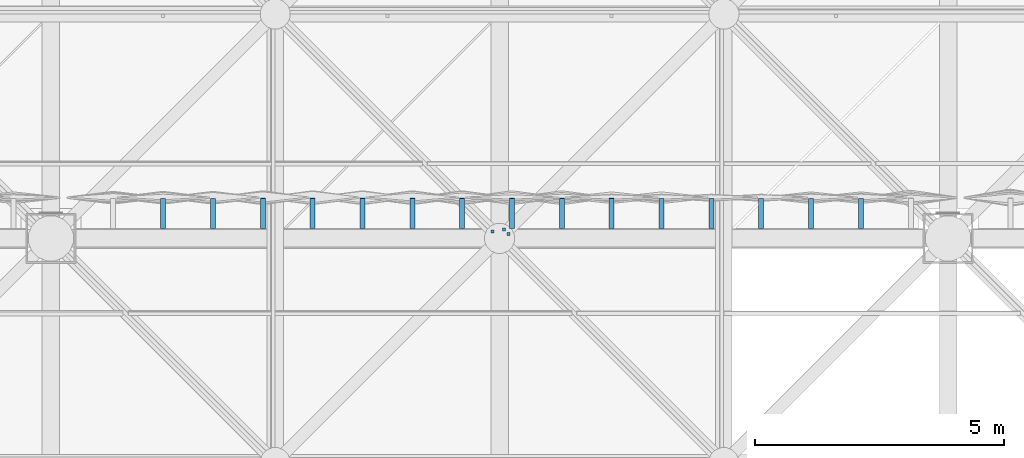
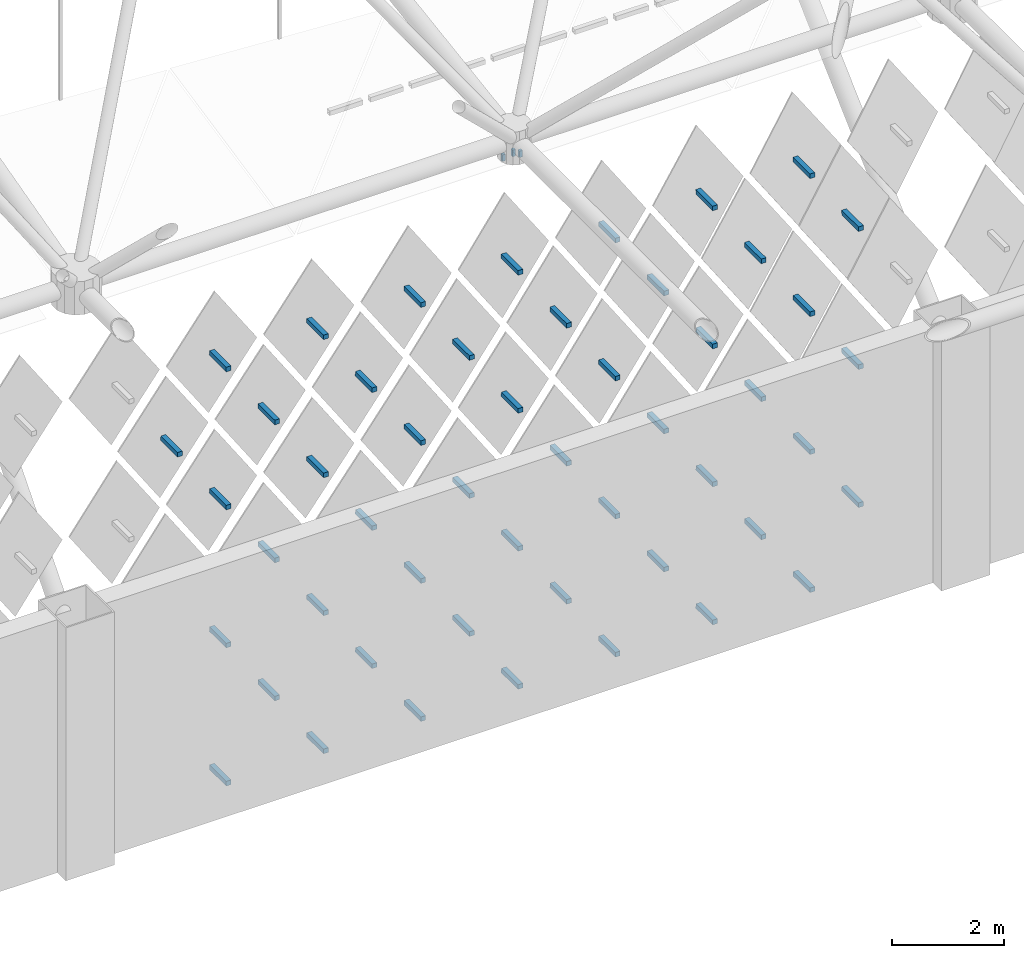
# One storey, part 384 of 437: 53 discrete accessories.
"""IFC4 building model written with IfcOpenShell, lengths in metres."""

from ifc_helpers import new_model, si_unit, direction, frame, origin, place, context, subcontext, project, spatial, polyline, outline, extrude, material, type_object, element, save


model = new_model("IFC4")

# Units and contexts
model_context = context("Model", 3, precision=1e-05, world=origin(), true_north=direction((0.0, 1.0)))
body_context = subcontext(model_context, "Body", "Model", "MODEL_VIEW")
ifc_project = project(units=[si_unit("LENGTHUNIT", "METRE"), si_unit("AREAUNIT", "SQUARE_METRE"), si_unit("VOLUMEUNIT", "CUBIC_METRE"), si_unit("PLANEANGLEUNIT", "RADIAN"), si_unit("MASSUNIT", "GRAM", prefix="KILO")], contexts=[model_context])

# Site, building, storey
site_placement = place(None, origin())
site = spatial("IfcSite", under=ifc_project, at=site_placement, CompositionType="ELEMENT")
building_placement = place(site_placement, origin())
building = spatial("IfcBuilding", under=site, at=building_placement, Name="Opaline Strait Convention Centre", CompositionType="ELEMENT")
storey_placement = place(building_placement, frame((0.0, 0.0, 11.5)))
storey = spatial("IfcBuildingStorey", under=building, at=storey_placement, Name="L02", CompositionType="ELEMENT", Elevation=11.5)

# Discrete accessories
ifc_material = material(Name="Steel Q355B", Category="steel")
discrete_accessory_type_1 = type_object("IfcDiscreteAccessoryType", Name="Soffit hanger 60x60 steel", PredefinedType="BRACKET", material=ifc_material)
discrete_accessory_1_placement = place(storey_placement, frame((0.0, 0.0, 11.9990234375)))
element("IfcDiscreteAccessory", 1, at=discrete_accessory_1_placement, inside=storey, type_object=discrete_accessory_type_1, Name="Soffit hanger", PredefinedType="BRACKET", context=body_context, shape_type="SweptSolid", body=[
    extrude(outline(polyline([(125.82861328125, 153.111328125), (125.888671875, 153.111328125), (125.888671875, 153.17138671875), (125.82861328125, 153.17138671875), (125.82861328125, 153.111328125)])), origin(), (0.0, 0.0, 1.0), 0.140869140625),
])
discrete_accessory_2_placement = place(storey_placement, frame((0.0, 0.0, 12.000732421875)))
element("IfcDiscreteAccessory", 2, at=discrete_accessory_2_placement, inside=storey, type_object=discrete_accessory_type_1, Name="Soffit hanger", PredefinedType="BRACKET", context=body_context, shape_type="SweptSolid", body=[
    extrude(outline(polyline([(126.14892578125, 153.059326171875), (126.208984375, 153.059326171875), (126.208984375, 153.119140625), (126.14892578125, 153.119140625), (126.14892578125, 153.059326171875)])), origin(), (0.0, 0.0, 1.0), 0.13916015625),
])
discrete_accessory_3_placement = place(storey_placement, frame((0.0, 0.0, 11.99951171875)))
element("IfcDiscreteAccessory", 3, at=discrete_accessory_3_placement, inside=storey, type_object=discrete_accessory_type_1, Name="Soffit hanger", PredefinedType="BRACKET", context=body_context, shape_type="SweptSolid", body=[
    extrude(outline(polyline([(126.059326171875, 153.14892578125), (126.119140625, 153.14892578125), (126.119140625, 153.208984375), (126.059326171875, 153.208984375), (126.059326171875, 153.14892578125)])), origin(), (0.0, 0.0, 1.0), 0.140380859375),
])
discrete_accessory_type_2 = type_object("IfcDiscreteAccessoryType", Name="Tile bracket 100x100 steel", PredefinedType="BRACKET", material=ifc_material)
discrete_accessory_4_placement = place(storey_placement, frame((132.300048828125, 153.199951171875, 0.39208984375), z_axis=(-1.0, 0.0, 0.0), x_axis=(0.0, -1.0, 0.0)))
element("IfcDiscreteAccessory", 4, at=discrete_accessory_4_placement, inside=storey, type_object=discrete_accessory_type_2, Name="Tile bracket XT06 N", PredefinedType="BRACKET", context=body_context, shape_type="SweptSolid", body=[
    extrude(outline(polyline([(0.0, -0.050048828125), (0.0, 0.050048828125), (-0.597412109375, 0.050048828125), (-0.6025390625, -0.050048828125), (0.0, -0.050048828125)])), origin(), (0.0, 0.0, 1.0), 0.10009765625),
])
discrete_accessory_5_placement = place(storey_placement, frame((130.300048828125, 153.199951171875, 0.39208984375), z_axis=(-1.0, 0.0, 0.0), x_axis=(0.0, -1.0, 0.0)))
element("IfcDiscreteAccessory", 5, at=discrete_accessory_5_placement, inside=storey, type_object=discrete_accessory_type_2, Name="Tile bracket XT09 N", PredefinedType="BRACKET", context=body_context, shape_type="SweptSolid", body=[
    extrude(outline(polyline([(0.0, -0.050048828125), (0.0, 0.050048828125), (-0.595947265625, 0.050048828125), (-0.60400390625, -0.050048828125), (0.0, -0.050048828125)])), origin(), (0.0, 0.0, 1.0), 0.10009765625),
])
discrete_accessory_6_placement = place(storey_placement, frame((128.300048828125, 153.199951171875, 0.39208984375), z_axis=(-1.0, 0.0, 0.0), x_axis=(0.0, -1.0, 0.0)))
element("IfcDiscreteAccessory", 6, at=discrete_accessory_6_placement, inside=storey, type_object=discrete_accessory_type_2, Name="Tile bracket XT11 N", PredefinedType="BRACKET", context=body_context, shape_type="SweptSolid", body=[
    extrude(outline(polyline([(0.0, -0.050048828125), (0.0, 0.050048828125), (-0.59521484375, 0.050048828125), (-0.604736328125, -0.050048828125), (0.0, -0.050048828125)])), origin(), (0.0, 0.0, 1.0), 0.10009765625),
])
discrete_accessory_7_placement = place(storey_placement, frame((126.300048828125, 153.199951171875, 0.39208984375), z_axis=(-1.0, 0.0, 0.0), x_axis=(0.0, -1.0, 0.0)))
element("IfcDiscreteAccessory", 7, at=discrete_accessory_7_placement, inside=storey, type_object=discrete_accessory_type_2, Name="Tile bracket XT12 N", PredefinedType="BRACKET", context=body_context, shape_type="SweptSolid", body=[
    extrude(outline(polyline([(0.0, -0.050048828125), (0.0, 0.050048828125), (-0.5947265625, 0.050048828125), (-0.605224609375, -0.050048828125), (0.0, -0.050048828125)])), origin(), (0.0, 0.0, 1.0), 0.10009765625),
])
discrete_accessory_8_placement = place(storey_placement, frame((124.300048828125, 153.199951171875, 0.39208984375), z_axis=(-1.0, 0.0, 0.0), x_axis=(0.0, -1.0, 0.0)))
element("IfcDiscreteAccessory", 8, at=discrete_accessory_8_placement, inside=storey, type_object=discrete_accessory_type_2, Name="Tile bracket XT10 N", PredefinedType="BRACKET", context=body_context, shape_type="SweptSolid", body=[
    extrude(outline(polyline([(0.0, -0.050048828125), (0.0, 0.050048828125), (-0.595703125, 0.050048828125), (-0.604248046875, -0.050048828125), (0.0, -0.050048828125)])), origin(), (0.0, 0.0, 1.0), 0.10009765625),
])
discrete_accessory_9_placement = place(storey_placement, frame((122.300048828125, 153.199951171875, 0.39208984375), z_axis=(-1.0, 0.0, 0.0), x_axis=(0.0, -1.0, 0.0)))
element("IfcDiscreteAccessory", 9, at=discrete_accessory_9_placement, inside=storey, type_object=discrete_accessory_type_2, Name="Tile bracket XT09 N", PredefinedType="BRACKET", context=body_context, shape_type="SweptSolid", body=[
    extrude(outline(polyline([(0.0, -0.050048828125), (0.0, 0.050048828125), (-0.595947265625, 0.050048828125), (-0.60400390625, -0.050048828125), (0.0, -0.050048828125)])), origin(), (0.0, 0.0, 1.0), 0.10009765625),
])
for number, where, z_axis, x_axis, name in (
    (10, (120.300048828125, 153.199951171875, 0.39208984375), (-1.0, 0.0, 0.0), (0.0, -1.0, 0.0), "Tile bracket XT05 N"),
    (11, (133.300048828125, 153.199951171875, 1.89208984375), (-1.0, 0.0, 0.0), (0.0, -1.0, 0.0), "Tile bracket XT05 N"),
    (12, (131.300048828125, 153.199951171875, 1.89208984375), (-1.0, 0.0, 0.0), (0.0, -1.0, 0.0), "Tile bracket XT05 N"),
):
    element("IfcDiscreteAccessory", number, at=place(storey_placement, frame(where, z_axis=z_axis, x_axis=x_axis)), inside=storey, type_object=discrete_accessory_type_2, Name=name, PredefinedType="BRACKET", context=body_context, shape_type="SweptSolid", body=[
        extrude(outline(polyline([(0.0, -0.050048828125), (0.0, 0.050048828125), (-0.597900390625, 0.050048828125), (-0.602294921875, -0.050048828125), (0.0, -0.050048828125)])), origin(), (0.0, 0.0, 1.0), 0.10009765625),
    ])
discrete_accessory_10_placement = place(storey_placement, frame((129.300048828125, 153.199951171875, 1.89208984375), z_axis=(-1.0, 0.0, 0.0), x_axis=(0.0, -1.0, 0.0)))
element("IfcDiscreteAccessory", 13, at=discrete_accessory_10_placement, inside=storey, type_object=discrete_accessory_type_2, Name="Tile bracket XT09 N", PredefinedType="BRACKET", context=body_context, shape_type="SweptSolid", body=[
    extrude(outline(polyline([(0.0, -0.050048828125), (0.0, 0.050048828125), (-0.595947265625, 0.050048828125), (-0.60400390625, -0.050048828125), (0.0, -0.050048828125)])), origin(), (0.0, 0.0, 1.0), 0.10009765625),
])
for number, where, z_axis, x_axis, name in (
    (14, (127.300048828125, 153.199951171875, 1.89208984375), (-1.0, 0.0, 0.0), (0.0, -1.0, 0.0), "Tile bracket XT11 N"),
    (15, (125.300048828125, 153.199951171875, 1.89208984375), (-1.0, 0.0, 0.0), (0.0, -1.0, 0.0), "Tile bracket XT11 N"),
    (16, (123.300048828125, 153.199951171875, 1.89208984375), (-1.0, 0.0, 0.0), (0.0, -1.0, 0.0), "Tile bracket XT11 N"),
):
    element("IfcDiscreteAccessory", number, at=place(storey_placement, frame(where, z_axis=z_axis, x_axis=x_axis)), inside=storey, type_object=discrete_accessory_type_2, Name=name, PredefinedType="BRACKET", context=body_context, shape_type="SweptSolid", body=[
        extrude(outline(polyline([(0.0, -0.050048828125), (0.0, 0.050048828125), (-0.59521484375, 0.050048828125), (-0.604736328125, -0.050048828125), (0.0, -0.050048828125)])), origin(), (0.0, 0.0, 1.0), 0.10009765625),
    ])
discrete_accessory_11_placement = place(storey_placement, frame((121.300048828125, 153.199951171875, 1.89208984375), z_axis=(-1.0, 0.0, 0.0), x_axis=(0.0, -1.0, 0.0)))
element("IfcDiscreteAccessory", 17, at=discrete_accessory_11_placement, inside=storey, type_object=discrete_accessory_type_2, Name="Tile bracket XT09 N", PredefinedType="BRACKET", context=body_context, shape_type="SweptSolid", body=[
    extrude(outline(polyline([(0.0, -0.050048828125), (0.0, 0.050048828125), (-0.595947265625, 0.050048828125), (-0.60400390625, -0.050048828125), (0.0, -0.050048828125)])), origin(), (0.0, 0.0, 1.0), 0.10009765625),
])
for number, where, z_axis, x_axis, name in (
    (18, (132.300048828125, 153.199951171875, 3.39208984375), (-1.0, 0.0, 0.0), (0.0, -1.0, 0.0), "Tile bracket XT05 N"),
    (19, (130.300048828125, 153.199951171875, 3.39208984375), (-1.0, 0.0, 0.0), (0.0, -1.0, 0.0), "Tile bracket XT05 N"),
):
    element("IfcDiscreteAccessory", number, at=place(storey_placement, frame(where, z_axis=z_axis, x_axis=x_axis)), inside=storey, type_object=discrete_accessory_type_2, Name=name, PredefinedType="BRACKET", context=body_context, shape_type="SweptSolid", body=[
        extrude(outline(polyline([(0.0, -0.050048828125), (0.0, 0.050048828125), (-0.597900390625, 0.050048828125), (-0.602294921875, -0.050048828125), (0.0, -0.050048828125)])), origin(), (0.0, 0.0, 1.0), 0.10009765625),
    ])
discrete_accessory_12_placement = place(storey_placement, frame((128.300048828125, 153.199951171875, 3.39208984375), z_axis=(-1.0, 0.0, 0.0), x_axis=(0.0, -1.0, 0.0)))
element("IfcDiscreteAccessory", 20, at=discrete_accessory_12_placement, inside=storey, type_object=discrete_accessory_type_2, Name="Tile bracket XT09 N", PredefinedType="BRACKET", context=body_context, shape_type="SweptSolid", body=[
    extrude(outline(polyline([(0.0, -0.050048828125), (0.0, 0.050048828125), (-0.595947265625, 0.050048828125), (-0.60400390625, -0.050048828125), (0.0, -0.050048828125)])), origin(), (0.0, 0.0, 1.0), 0.10009765625),
])
for number, where, z_axis, x_axis, name in (
    (21, (126.300048828125, 153.199951171875, 3.39208984375), (-1.0, 0.0, 0.0), (0.0, -1.0, 0.0), "Tile bracket XT11 N"),
    (22, (124.300048828125, 153.199951171875, 3.39208984375), (-1.0, 0.0, 0.0), (0.0, -1.0, 0.0), "Tile bracket XT11 N"),
    (23, (122.300048828125, 153.199951171875, 3.39208984375), (-1.0, 0.0, 0.0), (0.0, -1.0, 0.0), "Tile bracket XT11 N"),
):
    element("IfcDiscreteAccessory", number, at=place(storey_placement, frame(where, z_axis=z_axis, x_axis=x_axis)), inside=storey, type_object=discrete_accessory_type_2, Name=name, PredefinedType="BRACKET", context=body_context, shape_type="SweptSolid", body=[
        extrude(outline(polyline([(0.0, -0.050048828125), (0.0, 0.050048828125), (-0.59521484375, 0.050048828125), (-0.604736328125, -0.050048828125), (0.0, -0.050048828125)])), origin(), (0.0, 0.0, 1.0), 0.10009765625),
    ])
discrete_accessory_13_placement = place(storey_placement, frame((120.300048828125, 153.199951171875, 3.39208984375), z_axis=(-1.0, 0.0, 0.0), x_axis=(0.0, -1.0, 0.0)))
element("IfcDiscreteAccessory", 24, at=discrete_accessory_13_placement, inside=storey, type_object=discrete_accessory_type_2, Name="Tile bracket XT08 N", PredefinedType="BRACKET", context=body_context, shape_type="SweptSolid", body=[
    extrude(outline(polyline([(0.0, -0.050048828125), (0.0, 0.050048828125), (-0.596435546875, 0.050048828125), (-0.603515625, -0.050048828125), (0.0, -0.050048828125)])), origin(), (0.0, 0.0, 1.0), 0.10009765625),
])
discrete_accessory_14_placement = place(storey_placement, frame((133.300048828125, 153.199951171875, 4.89208984375), z_axis=(-1.0, 0.0, 0.0), x_axis=(0.0, -1.0, 0.0)))
element("IfcDiscreteAccessory", 25, at=discrete_accessory_14_placement, inside=storey, type_object=discrete_accessory_type_2, Name="Tile bracket XT05 N", PredefinedType="BRACKET", context=body_context, shape_type="SweptSolid", body=[
    extrude(outline(polyline([(0.0, -0.050048828125), (0.0, 0.050048828125), (-0.602294921875, 0.050048828125), (-0.597900390625, -0.050048828125), (0.0, -0.050048828125)])), origin(), (0.0, 0.0, 1.0), 0.10009765625),
])
discrete_accessory_15_placement = place(storey_placement, frame((131.300048828125, 153.199951171875, 4.89208984375), z_axis=(-1.0, 0.0, 0.0), x_axis=(0.0, -1.0, 0.0)))
element("IfcDiscreteAccessory", 26, at=discrete_accessory_15_placement, inside=storey, type_object=discrete_accessory_type_2, Name="Tile bracket XT04 N", PredefinedType="BRACKET", context=body_context, shape_type="SweptSolid", body=[
    extrude(outline(polyline([(0.0, -0.050048828125), (0.0, 0.050048828125), (-0.59814453125, 0.050048828125), (-0.601806640625, -0.050048828125), (0.0, -0.050048828125)])), origin(), (0.0, 0.0, 1.0), 0.10009765625),
])
discrete_accessory_16_placement = place(storey_placement, frame((129.300048828125, 153.199951171875, 4.89208984375), z_axis=(-1.0, 0.0, 0.0), x_axis=(0.0, -1.0, 0.0)))
element("IfcDiscreteAccessory", 27, at=discrete_accessory_16_placement, inside=storey, type_object=discrete_accessory_type_2, Name="Tile bracket XT05 N", PredefinedType="BRACKET", context=body_context, shape_type="SweptSolid", body=[
    extrude(outline(polyline([(0.0, -0.050048828125), (0.0, 0.050048828125), (-0.597900390625, 0.050048828125), (-0.602294921875, -0.050048828125), (0.0, -0.050048828125)])), origin(), (0.0, 0.0, 1.0), 0.10009765625),
])
discrete_accessory_17_placement = place(storey_placement, frame((127.300048828125, 153.199951171875, 4.89208984375), z_axis=(-1.0, 0.0, 0.0), x_axis=(0.0, -1.0, 0.0)))
element("IfcDiscreteAccessory", 28, at=discrete_accessory_17_placement, inside=storey, type_object=discrete_accessory_type_2, Name="Tile bracket XT08 N", PredefinedType="BRACKET", context=body_context, shape_type="SweptSolid", body=[
    extrude(outline(polyline([(0.0, -0.050048828125), (0.0, 0.050048828125), (-0.596435546875, 0.050048828125), (-0.603515625, -0.050048828125), (0.0, -0.050048828125)])), origin(), (0.0, 0.0, 1.0), 0.10009765625),
])
discrete_accessory_18_placement = place(storey_placement, frame((125.300048828125, 153.199951171875, 4.89208984375), z_axis=(-1.0, 0.0, 0.0), x_axis=(0.0, -1.0, 0.0)))
element("IfcDiscreteAccessory", 29, at=discrete_accessory_18_placement, inside=storey, type_object=discrete_accessory_type_2, Name="Tile bracket XT10 N", PredefinedType="BRACKET", context=body_context, shape_type="SweptSolid", body=[
    extrude(outline(polyline([(0.0, -0.050048828125), (0.0, 0.050048828125), (-0.595703125, 0.050048828125), (-0.604248046875, -0.050048828125), (0.0, -0.050048828125)])), origin(), (0.0, 0.0, 1.0), 0.10009765625),
])
for number, where, z_axis, x_axis, name in (
    (30, (123.300048828125, 153.199951171875, 4.89208984375), (-1.0, 0.0, 0.0), (0.0, -1.0, 0.0), "Tile bracket XT11 N"),
    (31, (121.300048828125, 153.199951171875, 4.89208984375), (-1.0, 0.0, 0.0), (0.0, -1.0, 0.0), "Tile bracket XT11 N"),
):
    element("IfcDiscreteAccessory", number, at=place(storey_placement, frame(where, z_axis=z_axis, x_axis=x_axis)), inside=storey, type_object=discrete_accessory_type_2, Name=name, PredefinedType="BRACKET", context=body_context, shape_type="SweptSolid", body=[
        extrude(outline(polyline([(0.0, -0.050048828125), (0.0, 0.050048828125), (-0.59521484375, 0.050048828125), (-0.604736328125, -0.050048828125), (0.0, -0.050048828125)])), origin(), (0.0, 0.0, 1.0), 0.10009765625),
    ])
discrete_accessory_19_placement = place(storey_placement, frame((132.300048828125, 153.199951171875, 6.39208984375), z_axis=(-1.0, 0.0, 0.0), x_axis=(0.0, -1.0, 0.0)))
element("IfcDiscreteAccessory", 32, at=discrete_accessory_19_placement, inside=storey, type_object=discrete_accessory_type_2, Name="Tile bracket XT05 N", PredefinedType="BRACKET", context=body_context, shape_type="SweptSolid", body=[
    extrude(outline(polyline([(0.0, -0.050048828125), (0.0, 0.050048828125), (-0.602294921875, 0.050048828125), (-0.597900390625, -0.050048828125), (0.0, -0.050048828125)])), origin(), (0.0, 0.0, 1.0), 0.10009765625),
])
discrete_accessory_20_placement = place(storey_placement, frame((130.300048828125, 153.199951171875, 6.39208984375), z_axis=(-1.0, 0.0, 0.0), x_axis=(0.0, -1.0, 0.0)))
element("IfcDiscreteAccessory", 33, at=discrete_accessory_20_placement, inside=storey, type_object=discrete_accessory_type_2, Name="Tile bracket XT04 N", PredefinedType="BRACKET", context=body_context, shape_type="SweptSolid", body=[
    extrude(outline(polyline([(0.0, -0.050048828125), (0.0, 0.050048828125), (-0.59814453125, 0.050048828125), (-0.601806640625, -0.050048828125), (0.0, -0.050048828125)])), origin(), (0.0, 0.0, 1.0), 0.10009765625),
])
discrete_accessory_21_placement = place(storey_placement, frame((128.300048828125, 153.199951171875, 6.39208984375), z_axis=(-1.0, 0.0, 0.0), x_axis=(0.0, -1.0, 0.0)))
element("IfcDiscreteAccessory", 34, at=discrete_accessory_21_placement, inside=storey, type_object=discrete_accessory_type_2, Name="Tile bracket XT05 N", PredefinedType="BRACKET", context=body_context, shape_type="SweptSolid", body=[
    extrude(outline(polyline([(0.0, -0.050048828125), (0.0, 0.050048828125), (-0.597900390625, 0.050048828125), (-0.602294921875, -0.050048828125), (0.0, -0.050048828125)])), origin(), (0.0, 0.0, 1.0), 0.10009765625),
])
discrete_accessory_22_placement = place(storey_placement, frame((126.300048828125, 153.199951171875, 6.39208984375), z_axis=(-1.0, 0.0, 0.0), x_axis=(0.0, -1.0, 0.0)))
element("IfcDiscreteAccessory", 35, at=discrete_accessory_22_placement, inside=storey, type_object=discrete_accessory_type_2, Name="Tile bracket XT08 N", PredefinedType="BRACKET", context=body_context, shape_type="SweptSolid", body=[
    extrude(outline(polyline([(0.0, -0.050048828125), (0.0, 0.050048828125), (-0.596435546875, 0.050048828125), (-0.603515625, -0.050048828125), (0.0, -0.050048828125)])), origin(), (0.0, 0.0, 1.0), 0.10009765625),
])
discrete_accessory_23_placement = place(storey_placement, frame((124.300048828125, 153.199951171875, 6.39208984375), z_axis=(-1.0, 0.0, 0.0), x_axis=(0.0, -1.0, 0.0)))
element("IfcDiscreteAccessory", 36, at=discrete_accessory_23_placement, inside=storey, type_object=discrete_accessory_type_2, Name="Tile bracket XT10 N", PredefinedType="BRACKET", context=body_context, shape_type="SweptSolid", body=[
    extrude(outline(polyline([(0.0, -0.050048828125), (0.0, 0.050048828125), (-0.595703125, 0.050048828125), (-0.604248046875, -0.050048828125), (0.0, -0.050048828125)])), origin(), (0.0, 0.0, 1.0), 0.10009765625),
])
discrete_accessory_24_placement = place(storey_placement, frame((122.300048828125, 153.199951171875, 6.39208984375), z_axis=(-1.0, 0.0, 0.0), x_axis=(0.0, -1.0, 0.0)))
element("IfcDiscreteAccessory", 37, at=discrete_accessory_24_placement, inside=storey, type_object=discrete_accessory_type_2, Name="Tile bracket XT11 N", PredefinedType="BRACKET", context=body_context, shape_type="SweptSolid", body=[
    extrude(outline(polyline([(0.0, -0.050048828125), (0.0, 0.050048828125), (-0.59521484375, 0.050048828125), (-0.604736328125, -0.050048828125), (0.0, -0.050048828125)])), origin(), (0.0, 0.0, 1.0), 0.10009765625),
])
discrete_accessory_25_placement = place(storey_placement, frame((120.300048828125, 153.199951171875, 6.39208984375), z_axis=(-1.0, 0.0, 0.0), x_axis=(0.0, -1.0, 0.0)))
element("IfcDiscreteAccessory", 38, at=discrete_accessory_25_placement, inside=storey, type_object=discrete_accessory_type_2, Name="Tile bracket XT10 N", PredefinedType="BRACKET", context=body_context, shape_type="SweptSolid", body=[
    extrude(outline(polyline([(0.0, -0.050048828125), (0.0, 0.050048828125), (-0.595703125, 0.050048828125), (-0.604248046875, -0.050048828125), (0.0, -0.050048828125)])), origin(), (0.0, 0.0, 1.0), 0.10009765625),
])
discrete_accessory_26_placement = place(storey_placement, frame((133.300048828125, 153.199951171875, 7.89208984375), z_axis=(-1.0, 0.0, 0.0), x_axis=(0.0, -1.0, 0.0)))
element("IfcDiscreteAccessory", 39, at=discrete_accessory_26_placement, inside=storey, type_object=discrete_accessory_type_2, Name="Tile bracket XT08 N", PredefinedType="BRACKET", context=body_context, shape_type="SweptSolid", body=[
    extrude(outline(polyline([(0.0, -0.050048828125), (0.0, 0.050048828125), (-0.603515625, 0.050048828125), (-0.596435546875, -0.050048828125), (0.0, -0.050048828125)])), origin(), (0.0, 0.0, 1.0), 0.10009765625),
])
discrete_accessory_27_placement = place(storey_placement, frame((131.300048828125, 153.199951171875, 7.89208984375), z_axis=(-1.0, 0.0, 0.0), x_axis=(0.0, -1.0, 0.0)))
element("IfcDiscreteAccessory", 40, at=discrete_accessory_27_placement, inside=storey, type_object=discrete_accessory_type_2, Name="Tile bracket XT04 N", PredefinedType="BRACKET", context=body_context, shape_type="SweptSolid", body=[
    extrude(outline(polyline([(0.0, -0.050048828125), (0.0, 0.050048828125), (-0.601806640625, 0.050048828125), (-0.59814453125, -0.050048828125), (0.0, -0.050048828125)])), origin(), (0.0, 0.0, 1.0), 0.10009765625),
])
discrete_accessory_28_placement = place(storey_placement, frame((129.300048828125, 153.199951171875, 7.89208984375), z_axis=(-1.0, 0.0, 0.0), x_axis=(0.0, -1.0, 0.0)))
element("IfcDiscreteAccessory", 41, at=discrete_accessory_28_placement, inside=storey, type_object=discrete_accessory_type_2, Name="Tile bracket XT04 N", PredefinedType="BRACKET", context=body_context, shape_type="SweptSolid", body=[
    extrude(outline(polyline([(0.0, -0.050048828125), (0.0, 0.050048828125), (-0.59814453125, 0.050048828125), (-0.601806640625, -0.050048828125), (0.0, -0.050048828125)])), origin(), (0.0, 0.0, 1.0), 0.10009765625),
])
discrete_accessory_29_placement = place(storey_placement, frame((127.300048828125, 153.199951171875, 7.89208984375), z_axis=(-1.0, 0.0, 0.0), x_axis=(0.0, -1.0, 0.0)))
element("IfcDiscreteAccessory", 42, at=discrete_accessory_29_placement, inside=storey, type_object=discrete_accessory_type_2, Name="Tile bracket XT05 N", PredefinedType="BRACKET", context=body_context, shape_type="SweptSolid", body=[
    extrude(outline(polyline([(0.0, -0.050048828125), (0.0, 0.050048828125), (-0.597900390625, 0.050048828125), (-0.602294921875, -0.050048828125), (0.0, -0.050048828125)])), origin(), (0.0, 0.0, 1.0), 0.10009765625),
])
discrete_accessory_30_placement = place(storey_placement, frame((125.300048828125, 153.199951171875, 7.89208984375), z_axis=(-1.0, 0.0, 0.0), x_axis=(0.0, -1.0, 0.0)))
element("IfcDiscreteAccessory", 43, at=discrete_accessory_30_placement, inside=storey, type_object=discrete_accessory_type_2, Name="Tile bracket XT07 N", PredefinedType="BRACKET", context=body_context, shape_type="SweptSolid", body=[
    extrude(outline(polyline([(0.0, -0.050048828125), (0.0, 0.050048828125), (-0.596923828125, 0.050048828125), (-0.60302734375, -0.050048828125), (0.0, -0.050048828125)])), origin(), (0.0, 0.0, 1.0), 0.10009765625),
])
discrete_accessory_31_placement = place(storey_placement, frame((123.300048828125, 153.199951171875, 7.89208984375), z_axis=(-1.0, 0.0, 0.0), x_axis=(0.0, -1.0, 0.0)))
element("IfcDiscreteAccessory", 44, at=discrete_accessory_31_placement, inside=storey, type_object=discrete_accessory_type_2, Name="Tile bracket XT10 N", PredefinedType="BRACKET", context=body_context, shape_type="SweptSolid", body=[
    extrude(outline(polyline([(0.0, -0.050048828125), (0.0, 0.050048828125), (-0.595703125, 0.050048828125), (-0.604248046875, -0.050048828125), (0.0, -0.050048828125)])), origin(), (0.0, 0.0, 1.0), 0.10009765625),
])
discrete_accessory_32_placement = place(storey_placement, frame((121.300048828125, 153.199951171875, 7.89208984375), z_axis=(-1.0, 0.0, 0.0), x_axis=(0.0, -1.0, 0.0)))
element("IfcDiscreteAccessory", 45, at=discrete_accessory_32_placement, inside=storey, type_object=discrete_accessory_type_2, Name="Tile bracket XT11 N", PredefinedType="BRACKET", context=body_context, shape_type="SweptSolid", body=[
    extrude(outline(polyline([(0.0, -0.050048828125), (0.0, 0.050048828125), (-0.59521484375, 0.050048828125), (-0.604736328125, -0.050048828125), (0.0, -0.050048828125)])), origin(), (0.0, 0.0, 1.0), 0.10009765625),
])
discrete_accessory_33_placement = place(storey_placement, frame((119.300048828125, 153.199951171875, 7.89208984375), z_axis=(-1.0, 0.0, 0.0), x_axis=(0.0, -1.0, 0.0)))
element("IfcDiscreteAccessory", 46, at=discrete_accessory_33_placement, inside=storey, type_object=discrete_accessory_type_2, Name="Tile bracket XT10 N", PredefinedType="BRACKET", context=body_context, shape_type="SweptSolid", body=[
    extrude(outline(polyline([(0.0, -0.050048828125), (0.0, 0.050048828125), (-0.595703125, 0.050048828125), (-0.604248046875, -0.050048828125), (0.0, -0.050048828125)])), origin(), (0.0, 0.0, 1.0), 0.10009765625),
])
discrete_accessory_34_placement = place(storey_placement, frame((132.300048828125, 153.199951171875, 9.39208984375), z_axis=(-1.0, 0.0, 0.0), x_axis=(0.0, -1.0, 0.0)))
element("IfcDiscreteAccessory", 47, at=discrete_accessory_34_placement, inside=storey, type_object=discrete_accessory_type_2, Name="Tile bracket XT08 N", PredefinedType="BRACKET", context=body_context, shape_type="SweptSolid", body=[
    extrude(outline(polyline([(0.0, -0.050048828125), (0.0, 0.050048828125), (-0.603515625, 0.050048828125), (-0.596435546875, -0.050048828125), (0.0, -0.050048828125)])), origin(), (0.0, 0.0, 1.0), 0.10009765625),
])
discrete_accessory_35_placement = place(storey_placement, frame((130.300048828125, 153.199951171875, 9.39208984375), z_axis=(-1.0, 0.0, 0.0), x_axis=(0.0, -1.0, 0.0)))
element("IfcDiscreteAccessory", 48, at=discrete_accessory_35_placement, inside=storey, type_object=discrete_accessory_type_2, Name="Tile bracket XT04 N", PredefinedType="BRACKET", context=body_context, shape_type="SweptSolid", body=[
    extrude(outline(polyline([(0.0, -0.050048828125), (0.0, 0.050048828125), (-0.601806640625, 0.050048828125), (-0.59814453125, -0.050048828125), (0.0, -0.050048828125)])), origin(), (0.0, 0.0, 1.0), 0.10009765625),
])
for number, where, z_axis, x_axis, name in (
    (49, (128.300048828125, 153.199951171875, 9.39208984375), (-1.0, 0.0, 0.0), (0.0, -1.0, 0.0), "Tile bracket XT04 N"),
    (50, (126.300048828125, 153.199951171875, 9.39208984375), (-1.0, 0.0, 0.0), (0.0, -1.0, 0.0), "Tile bracket XT04 N"),
):
    element("IfcDiscreteAccessory", number, at=place(storey_placement, frame(where, z_axis=z_axis, x_axis=x_axis)), inside=storey, type_object=discrete_accessory_type_2, Name=name, PredefinedType="BRACKET", context=body_context, shape_type="SweptSolid", body=[
        extrude(outline(polyline([(0.0, -0.050048828125), (0.0, 0.050048828125), (-0.59814453125, 0.050048828125), (-0.601806640625, -0.050048828125), (0.0, -0.050048828125)])), origin(), (0.0, 0.0, 1.0), 0.10009765625),
    ])
discrete_accessory_36_placement = place(storey_placement, frame((124.300048828125, 153.199951171875, 9.39208984375), z_axis=(-1.0, 0.0, 0.0), x_axis=(0.0, -1.0, 0.0)))
element("IfcDiscreteAccessory", 51, at=discrete_accessory_36_placement, inside=storey, type_object=discrete_accessory_type_2, Name="Tile bracket XT07 N", PredefinedType="BRACKET", context=body_context, shape_type="SweptSolid", body=[
    extrude(outline(polyline([(0.0, -0.050048828125), (0.0, 0.050048828125), (-0.596923828125, 0.050048828125), (-0.60302734375, -0.050048828125), (0.0, -0.050048828125)])), origin(), (0.0, 0.0, 1.0), 0.10009765625),
])
for number, where, z_axis, x_axis, name in (
    (52, (122.300048828125, 153.199951171875, 9.39208984375), (-1.0, 0.0, 0.0), (0.0, -1.0, 0.0), "Tile bracket XT10 N"),
    (53, (120.300048828125, 153.199951171875, 9.39208984375), (-1.0, 0.0, 0.0), (0.0, -1.0, 0.0), "Tile bracket XT10 N"),
):
    element("IfcDiscreteAccessory", number, at=place(storey_placement, frame(where, z_axis=z_axis, x_axis=x_axis)), inside=storey, type_object=discrete_accessory_type_2, Name=name, PredefinedType="BRACKET", context=body_context, shape_type="SweptSolid", body=[
        extrude(outline(polyline([(0.0, -0.050048828125), (0.0, 0.050048828125), (-0.595703125, 0.050048828125), (-0.604248046875, -0.050048828125), (0.0, -0.050048828125)])), origin(), (0.0, 0.0, 1.0), 0.10009765625),
    ])

save(model, "model.ifc")
